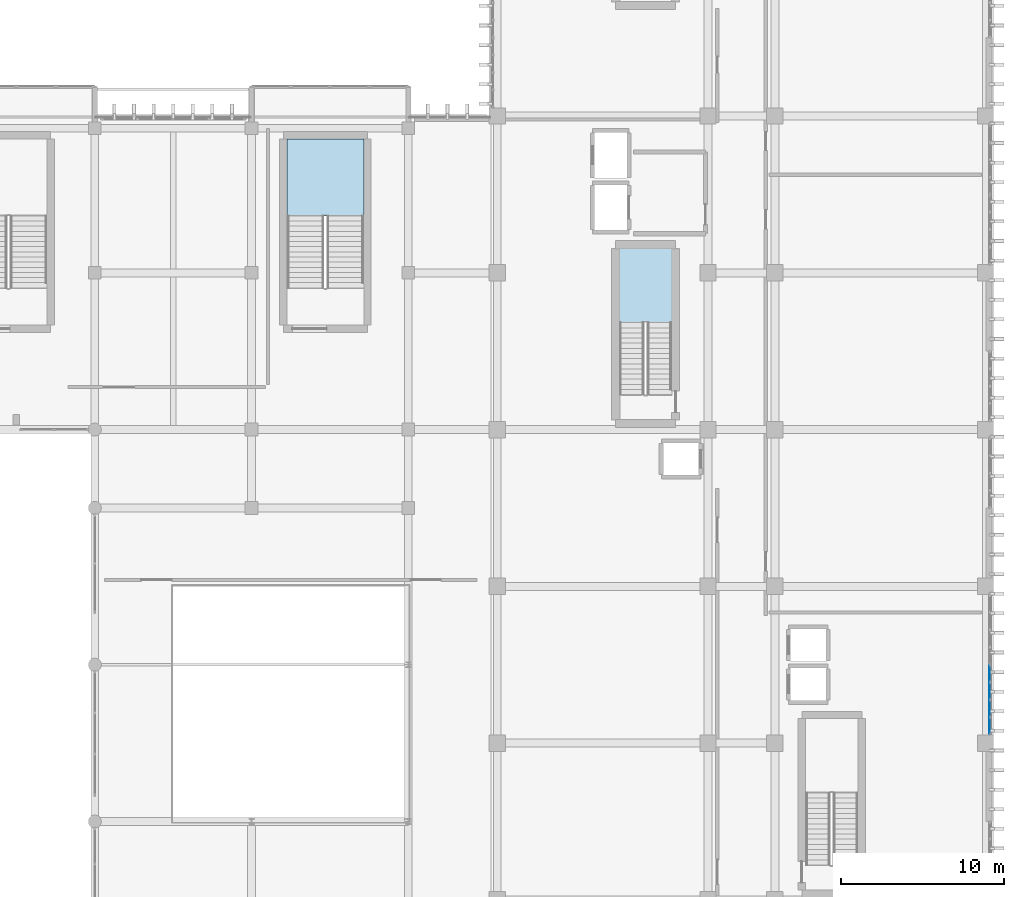
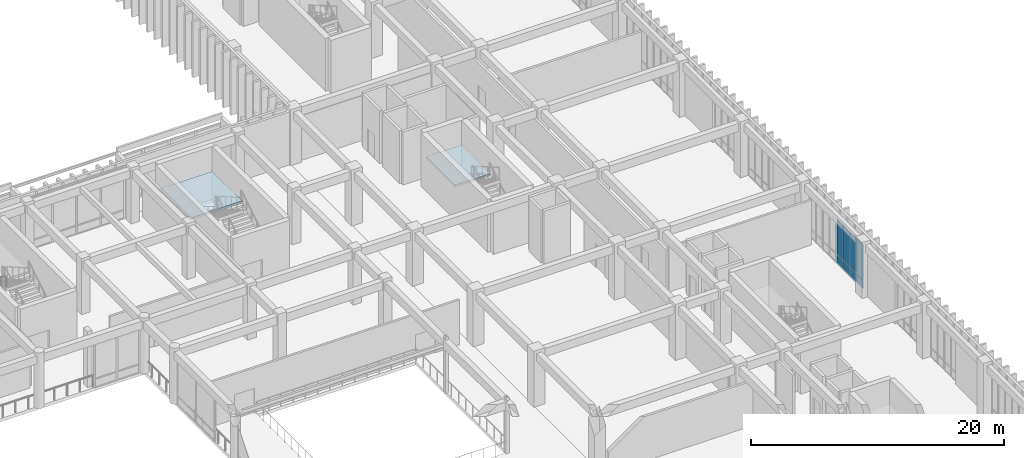
# One storey, part 97 of 134: 8 plates, 2 slabs, 3 elements without a shape of their own.
"""IFC4 building model written with IfcOpenShell, lengths in metres."""

from ifc_helpers import new_model, si_unit, direction, frame, origin, origin_2d, place, context, subcontext, project, spatial, polyline, rectangle, outline, extrude, material, layer, layer_set, type_object, element, aggregate, save


model = new_model("IFC4")

# Units and contexts
model_context = context("Model", 3, precision=1e-05, world=origin(), true_north=direction((0.0, 1.0)))
body_context = subcontext(model_context, "Body", "Model", "MODEL_VIEW")
ifc_project = project(units=[si_unit("LENGTHUNIT", "METRE"), si_unit("AREAUNIT", "SQUARE_METRE"), si_unit("VOLUMEUNIT", "CUBIC_METRE"), si_unit("PLANEANGLEUNIT", "RADIAN"), si_unit("MASSUNIT", "GRAM", prefix="KILO")], contexts=[model_context])

# Site, building, storey
site_placement = place(None, origin())
site = spatial("IfcSite", under=ifc_project, at=site_placement, CompositionType="ELEMENT")
building_placement = place(site_placement, origin())
building = spatial("IfcBuilding", under=site, at=building_placement, Name="Nakhvara Creek Congress Hotel", CompositionType="ELEMENT")
storey_placement = place(building_placement, frame((0.0, 0.0, 6.0)))
storey = spatial("IfcBuildingStorey", under=building, at=storey_placement, Name="L01", CompositionType="ELEMENT", Elevation=6.0)

# Curtain wall, plates
ifc_material_1 = material(Name="Bronze-anodised aluminium AW-6063-T6 and double-silver low-E glass", Category="aluminium")
ifc_layer_1 = layer(ifc_material_1, 0.199951171875)
ifc_layer_set_1 = layer_set([ifc_layer_1], Name="Bronze-anodised aluminium AW-6063-T6 and double-silver low-E glass")
curtain_wall_type = type_object("IfcCurtainWallType", Name="CW-HTL-UNIT", PredefinedType="USERDEFINED", material=ifc_layer_set_1)
curtain_wall_placement = place(storey_placement, origin())
curtain_wall = element("IfcCurtainWall", 1, at=curtain_wall_placement, inside=storey, type_object=curtain_wall_type, Name="Curtain Wall CW114", ObjectType="UNITISED", PredefinedType="USERDEFINED")
ifc_material_2 = material(Name="Double-silver solar-control low-E insulated glass", Category="glass")
plate_type = type_object("IfcPlateType", Name="PNL-GLZ-120X250", PredefinedType="CURTAIN_PANEL", material=ifc_material_2)
plate_1_placement = place(storey_placement, frame((179.60009765625, 61.84814453125, 0.06494140625), z_axis=(0.0, 0.0, 1.0), x_axis=(0.0, -1.0, 0.0)))
plate_1 = element("IfcPlate", 2, at=plate_1_placement, type_object=plate_type, Name="CW114 panel 1.1", PredefinedType="CURTAIN_PANEL", context=body_context, shape_type="SweptSolid", body=[
    extrude(rectangle(XDim=0.9736328125, YDim=0.028076171875, at=origin_2d()), origin(), (0.0, 0.0, 1.0), 0.75244140625),
])
plate_2_placement = place(storey_placement, frame((179.60009765625, 61.84814453125, 0.882568359375), z_axis=(0.0, 0.0, 1.0), x_axis=(0.0, -1.0, 0.0)))
plate_2 = element("IfcPlate", 3, at=plate_2_placement, type_object=plate_type, Name="CW114 panel 1.2", PredefinedType="CURTAIN_PANEL", context=body_context, shape_type="SweptSolid", body=[
    extrude(rectangle(XDim=0.9736328125, YDim=0.028076171875, at=origin_2d()), origin(), (0.0, 0.0, 1.0), 3.39453125),
])
plate_3_placement = place(storey_placement, frame((179.60009765625, 60.793212890625, 0.06494140625), z_axis=(0.0, 0.0, 1.0), x_axis=(0.0, -1.0, 0.0)))
plate_3 = element("IfcPlate", 4, at=plate_3_placement, type_object=plate_type, Name="CW114 panel 2.1", PredefinedType="CURTAIN_PANEL", context=body_context, shape_type="SweptSolid", body=[
    extrude(rectangle(XDim=1.00634765625, YDim=0.028076171875, at=origin_2d()), origin(), (0.0, 0.0, 1.0), 0.75244140625),
])
plate_4_placement = place(storey_placement, frame((179.60009765625, 60.793212890625, 0.882568359375), z_axis=(0.0, 0.0, 1.0), x_axis=(0.0, -1.0, 0.0)))
plate_4 = element("IfcPlate", 5, at=plate_4_placement, type_object=plate_type, Name="CW114 panel 2.2", PredefinedType="CURTAIN_PANEL", context=body_context, shape_type="SweptSolid", body=[
    extrude(rectangle(XDim=1.00634765625, YDim=0.028076171875, at=origin_2d()), origin(), (0.0, 0.0, 1.0), 3.39453125),
])
plate_5_placement = place(storey_placement, frame((179.60009765625, 59.721923828125, 0.06494140625), z_axis=(0.0, 0.0, 1.0), x_axis=(0.0, -1.0, 0.0)))
plate_5 = element("IfcPlate", 6, at=plate_5_placement, type_object=plate_type, Name="CW114 panel 3.1", PredefinedType="CURTAIN_PANEL", context=body_context, shape_type="SweptSolid", body=[
    extrude(rectangle(XDim=1.00634765625, YDim=0.028076171875, at=origin_2d()), origin(), (0.0, 0.0, 1.0), 0.75244140625),
])
plate_6_placement = place(storey_placement, frame((179.60009765625, 59.721923828125, 0.882568359375), z_axis=(0.0, 0.0, 1.0), x_axis=(0.0, -1.0, 0.0)))
plate_6 = element("IfcPlate", 7, at=plate_6_placement, type_object=plate_type, Name="CW114 panel 3.2", PredefinedType="CURTAIN_PANEL", context=body_context, shape_type="SweptSolid", body=[
    extrude(rectangle(XDim=1.00634765625, YDim=0.028076171875, at=origin_2d()), origin(), (0.0, 0.0, 1.0), 3.39453125),
])
plate_7_placement = place(storey_placement, frame((179.60009765625, 58.6669921875, 0.06494140625), z_axis=(0.0, 0.0, 1.0), x_axis=(0.0, -1.0, 0.0)))
plate_7 = element("IfcPlate", 8, at=plate_7_placement, type_object=plate_type, Name="CW114 panel 4.1", PredefinedType="CURTAIN_PANEL", context=body_context, shape_type="SweptSolid", body=[
    extrude(rectangle(XDim=0.9736328125, YDim=0.028076171875, at=origin_2d()), origin(), (0.0, 0.0, 1.0), 0.75244140625),
])
plate_8_placement = place(storey_placement, frame((179.60009765625, 58.6669921875, 0.882568359375), z_axis=(0.0, 0.0, 1.0), x_axis=(0.0, -1.0, 0.0)))
plate_8 = element("IfcPlate", 9, at=plate_8_placement, type_object=plate_type, Name="CW114 panel 4.2", PredefinedType="CURTAIN_PANEL", context=body_context, shape_type="SweptSolid", body=[
    extrude(rectangle(XDim=0.9736328125, YDim=0.028076171875, at=origin_2d()), origin(), (0.0, 0.0, 1.0), 3.39453125),
])
aggregate(curtain_wall, [plate_1, plate_2, plate_3, plate_4, plate_5, plate_6, plate_7, plate_8])

# Stair, slab
ifc_material_3 = material(Name="Concrete C40/50", Category="concrete")
stair_type_1 = type_object("IfcStairType", Name="ST-CORE-160", PredefinedType="HALF_TURN_STAIR", material=ifc_material_3)
stair_1_placement = place(storey_placement, origin())
stair_1 = element("IfcStair", 10, at=stair_1_placement, inside=storey, type_object=stair_type_1, Name="L01 Protected Exit Stair ST01", PredefinedType="HALF_TURN_STAIR")
ifc_layer_2 = layer(ifc_material_3, 0.199951171875)
ifc_layer_set_2 = layer_set([ifc_layer_2], Name="Concrete C40/50")
slab_type = type_object("IfcSlabType", Name="SL-LAND-200", PredefinedType="LANDING", material=ifc_layer_set_2)
slab_1_placement = place(storey_placement, frame((0.0, 0.0, 2.5)))
slab_1 = element("IfcSlab", 11, at=slab_1_placement, type_object=slab_type, Name="ST01 landing 1", PredefinedType="LANDING", context=body_context, shape_type="SweptSolid", body=[
    extrude(outline(polyline([(160.14990234375, 83.35009765625), (160.14990234375, 87.89990234375), (156.919921875, 87.89990234375), (156.919921875, 83.35009765625), (160.14990234375, 83.35009765625)])), origin(), (0.0, 0.0, 1.0), 0.199951171875),
])
aggregate(stair_1, [slab_1])

stair_type_2 = type_object("IfcStairType", Name="ST-CORE-230", PredefinedType="HALF_TURN_STAIR", material=ifc_material_3)
stair_2_placement = place(storey_placement, origin())
stair_2 = element("IfcStair", 12, at=stair_2_placement, inside=storey, type_object=stair_type_2, Name="L01 Protected Exit Stair ST10", PredefinedType="HALF_TURN_STAIR")
slab_2_placement = place(storey_placement, frame((0.0, 0.0, 2.5)))
slab_2 = element("IfcSlab", 13, at=slab_2_placement, type_object=slab_type, Name="ST10 landing 1", PredefinedType="LANDING", context=body_context, shape_type="SweptSolid", body=[
    extrude(outline(polyline([(141.280029296875, 89.889892578125), (141.280029296875, 94.60009765625), (136.570068359375, 94.60009765625), (136.570068359375, 89.889892578125), (141.280029296875, 89.889892578125)])), origin(), (0.0, 0.0, 1.0), 0.199951171875),
])
aggregate(stair_2, [slab_2])

save(model, "model.ifc")
